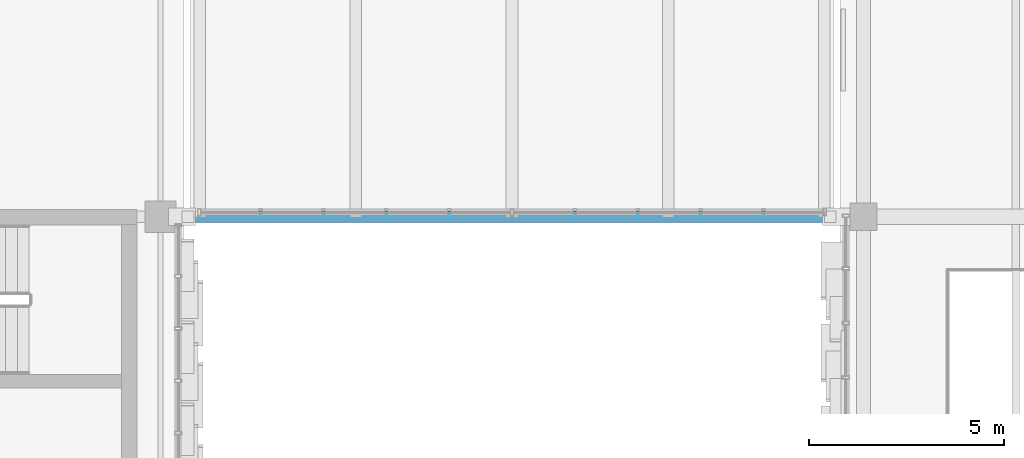
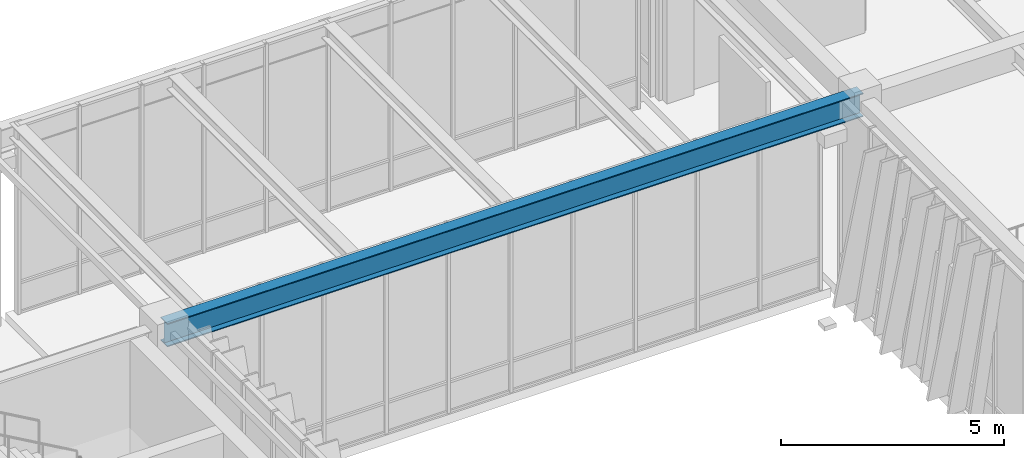
# One storey, part 57 of 139: 1 beam.
"""IFC4 building model written with IfcOpenShell, lengths in metres."""

from ifc_helpers import new_model, si_unit, direction, frame, origin, origin_2d, place, context, subcontext, project, spatial, i_section, extrude, material, material_profile, profile_set, type_object, element, save


model = new_model("IFC4")

# Units and contexts
model_context = context("Model", 3, precision=1e-05, world=origin(), true_north=direction((0.0, 1.0)))
body_context = subcontext(model_context, "Body", "Model", "MODEL_VIEW")
ifc_project = project(units=[si_unit("LENGTHUNIT", "METRE"), si_unit("AREAUNIT", "SQUARE_METRE"), si_unit("VOLUMEUNIT", "CUBIC_METRE"), si_unit("PLANEANGLEUNIT", "RADIAN"), si_unit("MASSUNIT", "GRAM", prefix="KILO")], contexts=[model_context])

# Site, building, storey
site_placement = place(None, origin())
site = spatial("IfcSite", under=ifc_project, at=site_placement, CompositionType="ELEMENT")
building_placement = place(site_placement, origin())
building = spatial("IfcBuilding", under=site, at=building_placement, Name="Zayran Congress Hotel", CompositionType="ELEMENT")
storey_placement = place(building_placement, frame((0.0, 0.0, 5.39990234375)))
storey = spatial("IfcBuildingStorey", under=building, at=storey_placement, Name="L01", CompositionType="ELEMENT", Elevation=5.39990234375)

# Beam
ifc_material = material(Name="Steel S355", Category="steel")
ifc_material_profile = material_profile(ifc_material, i_section(OverallWidth=0.300048828125, OverallDepth=0.639892578125, WebThickness=0.013427734375, FlangeThickness=0.02587890625, at=origin_2d()), Name="HEA 650")
ifc_profile_set = profile_set([ifc_material_profile], Name="Steel S355")
beam_type = type_object("IfcBeamType", Name="TP-BM-04", PredefinedType="BEAM", material=ifc_profile_set)
beam_placement = place(storey_placement, frame((91.800048828125, 76.0, 4.830078125), z_axis=(1.0, 0.0, 0.0), x_axis=(0.0, 1.0, 0.0)))
element("IfcBeam", 1, at=beam_placement, inside=storey, type_object=beam_type, Name="BM-BR1-L01-2408", PredefinedType="BEAM", context=body_context, shape_type="SweptSolid", body=[
    extrude(i_section(OverallWidth=0.300048828125, OverallDepth=0.639892578125, WebThickness=0.013427734375, FlangeThickness=0.02587890625, at=origin_2d()), origin(), (0.0, 0.0, 1.0), 18.0),
])

save(model, "model.ifc")
